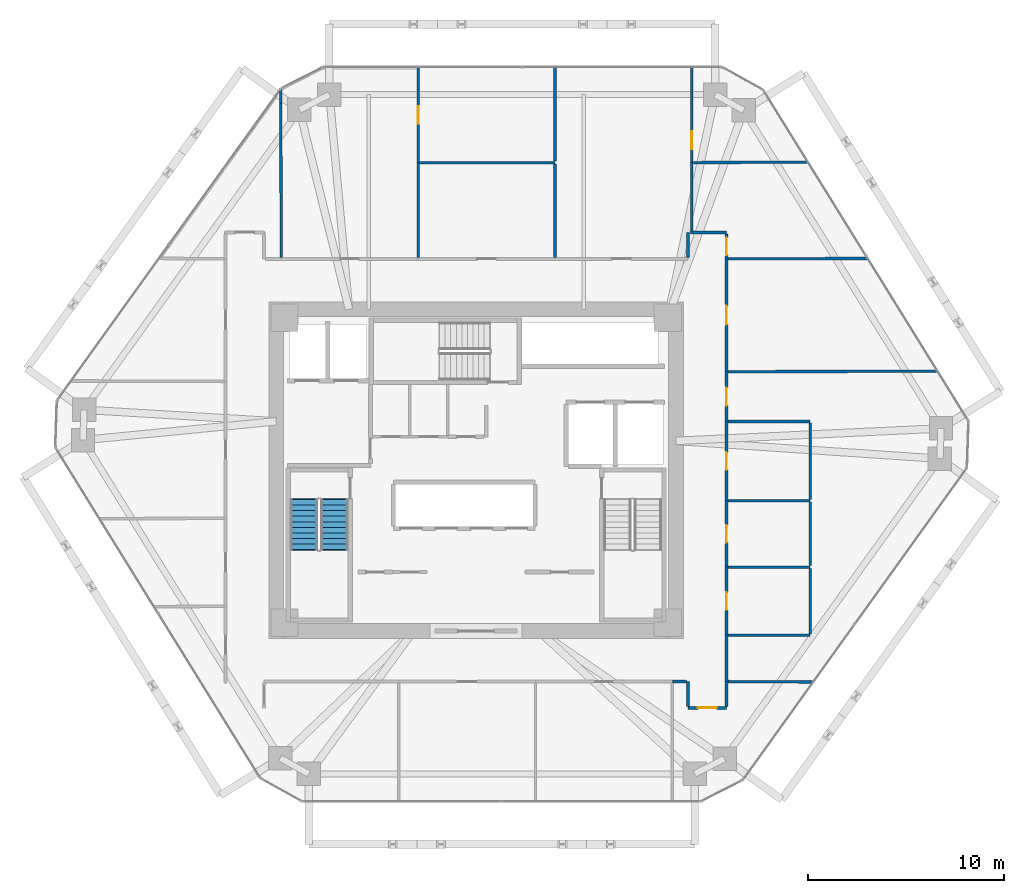
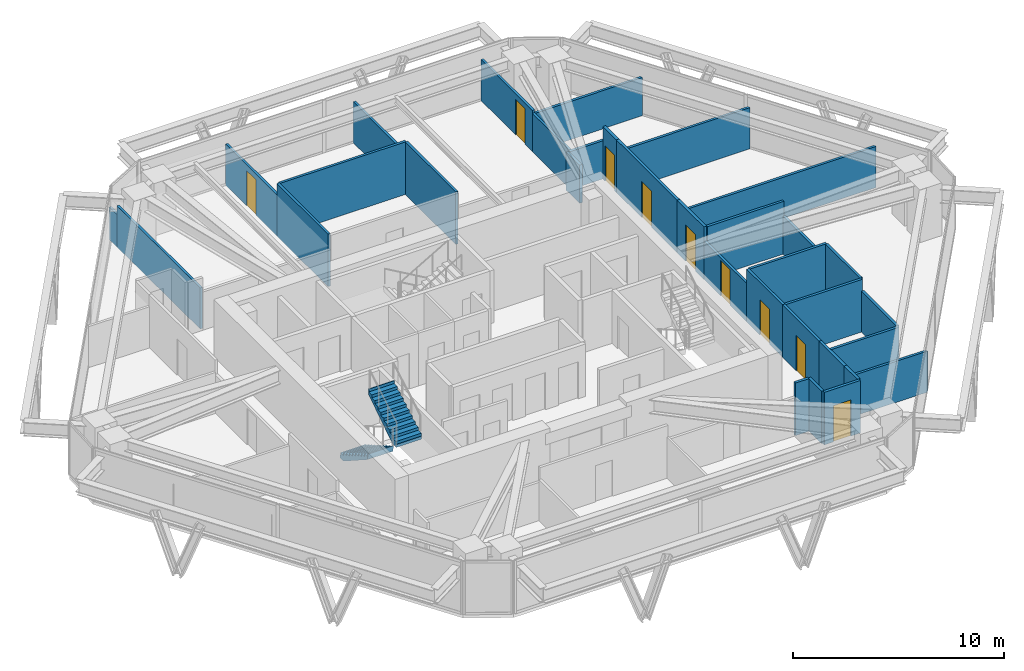
# One storey, part 12 of 14: 33 walls, 9 doors, 2 stair flights, 9 openings, 1 element without a shape of its own.
"""IFC4 building model written with IfcOpenShell, lengths in metres."""

from ifc_helpers import new_model, si_unit, direction, frame, frame_2d, origin, place, context, subcontext, project, spatial, polyline, rectangle, outline, extrude, source, transform, mapped, material, layer, layer_set, type_object, type_shapes, element, fill, aggregate, save


model = new_model("IFC4")

# Units and contexts
model_context = context("Model", 3, precision=1e-05, world=origin(), true_north=direction((0.0, 1.0)))
body_context = subcontext(model_context, "Body", "Model", "MODEL_VIEW")
ifc_project = project(units=[si_unit("LENGTHUNIT", "METRE"), si_unit("AREAUNIT", "SQUARE_METRE"), si_unit("VOLUMEUNIT", "CUBIC_METRE"), si_unit("PLANEANGLEUNIT", "RADIAN"), si_unit("MASSUNIT", "GRAM", prefix="KILO")], contexts=[model_context])

# Site, building, storey
site_placement = place(None, origin())
site = spatial("IfcSite", under=ifc_project, at=site_placement, CompositionType="ELEMENT")
building_placement = place(site_placement, origin())
building = spatial("IfcBuilding", under=site, at=building_placement, Name="Durnholm Broadcast Tower", CompositionType="ELEMENT")
storey_placement = place(building_placement, frame((0.0, 0.0, 107.39990234375)))
storey = spatial("IfcBuildingStorey", under=building, at=storey_placement, Name="L28", CompositionType="ELEMENT", Elevation=107.39990234375)

# Walls
ifc_material_1 = material(Name="Gypsum Metal Stud Partition", Category="concrete")
ifc_layer_1 = layer(ifc_material_1, 0.135009765625)
ifc_layer_set_1 = layer_set([ifc_layer_1], Name="Gypsum Metal Stud Partition")
wall_type_1 = type_object("IfcWallType", Name="WALL-PART-135", PredefinedType="PARTITIONING", material=ifc_layer_set_1)
wall_1_placement = place(storey_placement, frame((-9.98974609375, 18.75634765625, 0.0), z_axis=(0.0, 0.0, 1.0), x_axis=(0.003754822251, -0.99999295063, 0.0)))
element("IfcWall", 1, at=wall_1_placement, inside=storey, type_object=wall_type_1, Name="L28 room dividing partition 10.11", PredefinedType="PARTITIONING", context=body_context, shape_type="SweptSolid", body=[
    extrude(rectangle(XDim=7.867431640625, YDim=0.135009765625, at=frame_2d((3.93359375, 0.0))), origin(), (0.0, 0.0, 1.0), 2.380126953125),
])
wall_2_placement = place(storey_placement, frame((-9.992431640625, 19.478515625, 0.0), z_axis=(0.0, 0.0, 1.0), x_axis=(0.003718703158, -0.9999930856, 0.0)))
element("IfcWall", 2, at=wall_2_placement, inside=storey, type_object=wall_type_1, Name="L28 room dividing partition 10.11", PredefinedType="PARTITIONING", context=body_context, shape_type="SweptSolid", body=[
    extrude(rectangle(XDim=0.72216796875, YDim=0.135009765625, at=frame_2d((0.361083984375, 0.0))), origin(), (0.0, 0.0, 1.0), 1.877197265625),
])
wall_3_placement = place(storey_placement, frame((-2.9599609375, 15.73291015625, 0.0), z_axis=(0.0, 0.0, 1.0), x_axis=(0.0, -1.0, 0.0)))
element("IfcWall", 3, at=wall_3_placement, inside=storey, type_object=wall_type_1, Name="L28 room dividing partition 11.12", PredefinedType="PARTITIONING", context=body_context, shape_type="SweptSolid", body=[
    extrude(rectangle(XDim=4.843994140625, YDim=0.135009765625, at=frame_2d((2.421875, 0.0))), origin(), (0.0, 0.0, 1.0), 3.045166015625),
])

# Wall, opening, door
wall_4_placement = place(storey_placement, frame((-2.9599609375, 20.614990234375, 0.0), z_axis=(0.0, 0.0, 1.0), x_axis=(0.0, -1.0, 0.0)))
wall_4 = element("IfcWall", 4, at=wall_4_placement, inside=storey, type_object=wall_type_1, Name="L28 room dividing partition 11.13", PredefinedType="PARTITIONING", context=body_context, shape_type="SweptSolid", body=[
    extrude(rectangle(XDim=4.882080078125, YDim=0.135009765625, at=frame_2d((2.44091796875, 0.0))), origin(), (0.0, 0.0, 1.0), 2.380126953125),
])
opening_1_placement = place(wall_4_placement, frame((1.990966796875, 0.0, 0.0)))
opening_1 = element("IfcOpeningElement", 5, at=opening_1_placement, cuts=wall_4, Name="Opening DW-90L", PredefinedType="OPENING", context=body_context, shape_type="SweptSolid", body=[
    extrude(rectangle(XDim=0.89990234375, YDim=2.050048828125, at=frame_2d((0.449951171875, 1.02490234375))), frame((0.0, 0.07763671875, 0.0), z_axis=(0.0, -1.0, 0.0), x_axis=(1.0, 0.0, 0.0)), (0.0, 0.0, 1.0), 0.155029296875),
])
ifc_material_2 = material(Name="Laminate Restroom Door", Category="steel")
ifc_layer_2 = layer(ifc_material_2, 0.050048828125)
ifc_layer_set_2 = layer_set([ifc_layer_2], Name="Laminate Restroom Door")
door_type_1 = type_object("IfcDoorType", Name="DOOR-WC-900L", OperationType="NOTDEFINED", PredefinedType="DOOR", material=ifc_layer_set_2)
shared_shape_1 = source(origin(), body_context, "Body", "SweptSolid", [
    extrude(rectangle(XDim=0.89990234375, YDim=2.050048828125, at=frame_2d((0.449951171875, 1.02490234375))), frame((0.0, 0.02490234375, 0.0), z_axis=(0.0, -1.0, 0.0), x_axis=(1.0, 0.0, 0.0)), (0.0, 0.0, 1.0), 0.050048828125),
])
type_shapes(door_type_1, [shared_shape_1])
door_1_placement = place(opening_1_placement, origin())
door_1 = element("IfcDoor", 6, at=door_1_placement, inside=storey, type_object=door_type_1, Name="L28 Atmos Mix Office connecting door", OperationType="SINGLE_SWING_LEFT", OverallHeight=2.050048828125, OverallWidth=0.89990234375, PredefinedType="DOOR", context=body_context, shape_type="MappedRepresentation", body=[
    mapped(shared_shape_1, transform((0.0, 0.0, 0.0), x_axis=(1.0, 0.0, 0.0), y_axis=(0.0, 1.0, 0.0), z_axis=(0.0, 0.0, 1.0), scale=1.0)),
])
fill(opening_1, door_1)

# Walls
wall_5_placement = place(storey_placement, frame((-2.888427734375, 15.73291015625, 0.0), z_axis=(0.0, 0.0, 1.0), x_axis=(1.0, 0.0, 0.0)))
element("IfcWall", 7, at=wall_5_placement, inside=storey, type_object=wall_type_1, Name="L28 room dividing partition 12.13", PredefinedType="PARTITIONING", context=body_context, shape_type="SweptSolid", body=[
    extrude(rectangle(XDim=6.928466796875, YDim=0.135009765625, at=frame_2d((3.46435546875, 0.0))), origin(), (0.0, 0.0, 1.0), 3.045166015625),
])
wall_6_placement = place(storey_placement, frame((4.0400390625, 15.66162109375, 0.0), z_axis=(0.0, 0.0, 1.0), x_axis=(0.0, -1.0, 0.0)))
element("IfcWall", 8, at=wall_6_placement, inside=storey, type_object=wall_type_1, Name="L28 room dividing partition 12.14", PredefinedType="PARTITIONING", context=body_context, shape_type="SweptSolid", body=[
    extrude(rectangle(XDim=4.772705078125, YDim=0.135009765625, at=frame_2d((2.38623046875, 0.0))), origin(), (0.0, 0.0, 1.0), 3.045166015625),
])
wall_7_placement = place(storey_placement, frame((4.0400390625, 20.614990234375, 0.0), z_axis=(0.0, 0.0, 1.0), x_axis=(0.0, -1.0, 0.0)))
element("IfcWall", 9, at=wall_7_placement, inside=storey, type_object=wall_type_1, Name="L28 room dividing partition 13.14", PredefinedType="PARTITIONING", context=body_context, shape_type="SweptSolid", body=[
    extrude(rectangle(XDim=4.810546875, YDim=0.135009765625, at=frame_2d((2.4052734375, 0.0))), origin(), (0.0, 0.0, 1.0), 2.380126953125),
])
wall_8_placement = place(storey_placement, frame((11.0400390625, 15.73291015625, 0.0), z_axis=(0.0, 0.0, 1.0), x_axis=(0.0, -1.0, 0.0)))
element("IfcWall", 10, at=wall_8_placement, inside=storey, type_object=wall_type_1, Name="L28 room dividing partition 14.15", PredefinedType="PARTITIONING", context=body_context, shape_type="SweptSolid", body=[
    extrude(rectangle(XDim=3.493896484375, YDim=0.135009765625, at=frame_2d((1.7470703125, 0.0))), origin(), (0.0, 0.0, 1.0), 2.212158203125),
])

# Wall, opening, door
wall_9_placement = place(storey_placement, frame((11.0400390625, 20.614990234375, 0.0), z_axis=(0.0, 0.0, 1.0), x_axis=(0.0, -1.0, 0.0)))
wall_9 = element("IfcWall", 11, at=wall_9_placement, inside=storey, type_object=wall_type_1, Name="L28 room dividing partition 14.16", PredefinedType="PARTITIONING", context=body_context, shape_type="SweptSolid", body=[
    extrude(rectangle(XDim=4.882080078125, YDim=0.135009765625, at=frame_2d((2.44091796875, 0.0))), origin(), (0.0, 0.0, 1.0), 2.380126953125),
])
opening_2_placement = place(wall_9_placement, frame((3.2900390625, 0.0, 0.0)))
opening_2 = element("IfcOpeningElement", 12, at=opening_2_placement, cuts=wall_9, Name="Opening DW-90L", PredefinedType="OPENING", context=body_context, shape_type="SweptSolid", body=[
    extrude(rectangle(XDim=0.89990234375, YDim=2.050048828125, at=frame_2d((0.449951171875, 1.02490234375))), frame((0.0, 0.07763671875, 0.0), z_axis=(0.0, -1.0, 0.0), x_axis=(1.0, 0.0, 0.0)), (0.0, 0.0, 1.0), 0.155029296875),
])
door_2_placement = place(opening_2_placement, origin())
door_2 = element("IfcDoor", 13, at=door_2_placement, inside=storey, type_object=door_type_1, Name="L28 Render Engineer Office connecting door", OperationType="SINGLE_SWING_LEFT", OverallHeight=2.050048828125, OverallWidth=0.89990234375, PredefinedType="DOOR", context=body_context, shape_type="MappedRepresentation", body=[
    mapped(shared_shape_1, transform((0.0, 0.0, 0.0), x_axis=(1.0, 0.0, 0.0), y_axis=(0.0, 1.0, 0.0), z_axis=(0.0, 0.0, 1.0), scale=1.0)),
])
fill(opening_2, door_2)

# Walls
wall_10_placement = place(storey_placement, frame((11.111572265625, 15.7333984375, 0.0), z_axis=(0.0, 0.0, 1.0), x_axis=(0.99999375129, 0.003535163403, 0.0)))
element("IfcWall", 14, at=wall_10_placement, inside=storey, type_object=wall_type_1, Name="L28 room dividing partition 15.16", PredefinedType="PARTITIONING", context=body_context, shape_type="SweptSolid", body=[
    extrude(rectangle(XDim=5.8701171875, YDim=0.135009765625, at=frame_2d((2.93505859375, 0.0))), origin(), (0.0, 0.0, 1.0), 2.212158203125),
])
wall_11_placement = place(storey_placement, frame((20.03515625, 10.8310546875, 0.0), z_axis=(0.0, 0.0, 1.0), x_axis=(-0.999995783715, -0.002903885812, 0.0)))
element("IfcWall", 15, at=wall_11_placement, inside=storey, type_object=wall_type_1, Name="L28 room dividing partition 15.26", PredefinedType="PARTITIONING", context=body_context, shape_type="SweptSolid", body=[
    extrude(rectangle(XDim=7.146240234375, YDim=0.135009765625, at=frame_2d((3.5732421875, 0.0))), origin(), (0.0, 0.0, 1.0), 2.380126953125),
])
wall_12_placement = place(storey_placement, frame((12.888916015625, -10.810302734375, 0.0), z_axis=(0.0, 0.0, 1.0), x_axis=(0.999986140562, -0.005264853658, 0.0)))
element("IfcWall", 16, at=wall_12_placement, inside=storey, type_object=wall_type_1, Name="L28 room dividing partition 20.25", PredefinedType="PARTITIONING", context=body_context, shape_type="SweptSolid", body=[
    extrude(rectangle(XDim=4.35888671875, YDim=0.135009765625, at=frame_2d((2.179443359375, 0.0))), origin(), (0.0, 0.0, 1.0), 2.380126953125),
])
wall_13_placement = place(storey_placement, frame((12.888916015625, 5.040283203125, 0.0), z_axis=(0.0, 0.0, 1.0), x_axis=(0.999998128178, 0.00193484876, 0.0)))
element("IfcWall", 17, at=wall_13_placement, inside=storey, type_object=wall_type_1, Name="L28 room dividing partition 25.26", PredefinedType="PARTITIONING", context=body_context, shape_type="SweptSolid", body=[
    extrude(rectangle(XDim=10.725341796875, YDim=0.135009765625, at=frame_2d((5.36279296875, 0.0))), origin(), (0.0, 0.0, 1.0), 2.380126953125),
])
ifc_material_3 = material(Name="Acoustic Gypsum Stud Partition", Category="concrete")
ifc_layer_3 = layer(ifc_material_3, 0.14990234375)
ifc_layer_set_3 = layer_set([ifc_layer_3], Name="Acoustic Gypsum Stud Partition")
wall_type_2 = type_object("IfcWallType", Name="WALL-PART-150", PredefinedType="PARTITIONING", material=ifc_layer_set_3)
wall_14_placement = place(storey_placement, frame((10.840087890625, 12.159912109375, 0.0), z_axis=(0.0, 0.0, 1.0), x_axis=(0.0, -1.0, 0.0)))
element("IfcWall", 18, at=wall_14_placement, inside=storey, type_object=wall_type_2, Name="L28 Colorist Office corridor partition", PredefinedType="PARTITIONING", context=body_context, shape_type="SweptSolid", body=[
    extrude(rectangle(XDim=1.27099609375, YDim=0.14990234375, at=frame_2d((0.635498046875, 0.0))), origin(), (0.0, 0.0, 1.0), 2.212158203125),
])
wall_15_placement = place(storey_placement, frame((12.81005859375, 12.159912109375, 0.0), z_axis=(0.0, 0.0, 1.0), x_axis=(-1.0, 0.0, 0.0)))
element("IfcWall", 19, at=wall_15_placement, inside=storey, type_object=wall_type_2, Name="L28 Creative Director Office corridor partition", PredefinedType="PARTITIONING", context=body_context, shape_type="SweptSolid", body=[
    extrude(rectangle(XDim=1.85009765625, YDim=0.14990234375, at=frame_2d((0.925048828125, 0.0))), origin(), (0.0, 0.0, 1.0), 2.212158203125),
])

# Wall, opening, door
wall_16_placement = place(storey_placement, frame((12.81005859375, 10.81005859375, 0.0), z_axis=(0.0, 0.0, 1.0), x_axis=(0.0, 1.0, 0.0)))
wall_16 = element("IfcWall", 20, at=wall_16_placement, inside=storey, type_object=wall_type_2, Name="L28 Creative Director Office corridor partition", PredefinedType="PARTITIONING", context=body_context, shape_type="SweptSolid", body=[
    extrude(rectangle(XDim=1.27099609375, YDim=0.14990234375, at=frame_2d((0.635498046875, 0.0))), origin(), (0.0, 0.0, 1.0), 3.045166015625),
])
opening_3_placement = place(wall_16_placement, frame((0.185546875, 0.0, 0.0)))
opening_3 = element("IfcOpeningElement", 21, at=opening_3_placement, cuts=wall_16, Name="Opening DW-90L", PredefinedType="OPENING", context=body_context, shape_type="SweptSolid", body=[
    extrude(rectangle(XDim=0.89990234375, YDim=2.050048828125, at=frame_2d((0.449951171875, 1.02490234375))), frame((0.0, 0.0849609375, 0.0), z_axis=(0.0, -1.0, 0.0), x_axis=(1.0, 0.0, 0.0)), (0.0, 0.0, 1.0), 0.169921875),
])
door_3_placement = place(opening_3_placement, origin())
door_3 = element("IfcDoor", 22, at=door_3_placement, inside=storey, type_object=door_type_1, Name="L28 Creative Director Office entrance door", OperationType="SINGLE_SWING_LEFT", OverallHeight=2.050048828125, OverallWidth=0.89990234375, PredefinedType="DOOR", context=body_context, shape_type="MappedRepresentation", body=[
    mapped(shared_shape_1, transform((0.0, 0.0, 0.0), x_axis=(1.0, 0.0, 0.0), y_axis=(0.0, 1.0, 0.0), z_axis=(0.0, 0.0, 1.0), scale=1.0)),
])
fill(opening_3, door_3)

wall_17_placement = place(storey_placement, frame((10.840087890625, -12.159912109375, 0.0), z_axis=(0.0, 0.0, 1.0), x_axis=(1.0, 0.0, 0.0)))
wall_17 = element("IfcWall", 23, at=wall_17_placement, inside=storey, type_object=wall_type_2, Name="L28 VFX Office 1 corridor partition", PredefinedType="PARTITIONING", context=body_context, shape_type="SweptSolid", body=[
    extrude(rectangle(XDim=1.969970703125, YDim=0.14990234375, at=frame_2d((0.98486328125, 0.0))), origin(), (0.0, 0.0, 1.0), 3.045166015625),
])
opening_4_placement = place(wall_17_placement, frame((0.510009765625, 0.0, 0.0)))
opening_4 = element("IfcOpeningElement", 24, at=opening_4_placement, cuts=wall_17, Name="Opening DR-95L", PredefinedType="OPENING", context=body_context, shape_type="SweptSolid", body=[
    extrude(rectangle(XDim=0.949951171875, YDim=2.10009765625, at=frame_2d((0.47509765625, 1.050048828125))), frame((0.0, 0.0849609375, 0.0), z_axis=(0.0, -1.0, 0.0), x_axis=(1.0, 0.0, 0.0)), (0.0, 0.0, 1.0), 0.169921875),
])
ifc_material_4 = material(Name="Acoustic Oak Veneer Timber Door", Category="wood")
ifc_layer_4 = layer(ifc_material_4, 0.050048828125)
ifc_layer_set_4 = layer_set([ifc_layer_4], Name="Acoustic Oak Veneer Timber Door")
door_type_2 = type_object("IfcDoorType", Name="DOOR-RM-950L", OperationType="NOTDEFINED", PredefinedType="DOOR", material=ifc_layer_set_4)
shared_shape_2 = source(origin(), body_context, "Body", "SweptSolid", [
    extrude(rectangle(XDim=0.949951171875, YDim=2.10009765625, at=frame_2d((0.47509765625, 1.050048828125))), frame((0.0, 0.02490234375, 0.0), z_axis=(0.0, -1.0, 0.0), x_axis=(1.0, 0.0, 0.0)), (0.0, 0.0, 1.0), 0.050048828125),
])
type_shapes(door_type_2, [shared_shape_2])
door_4_placement = place(opening_4_placement, origin())
door_4 = element("IfcDoor", 25, at=door_4_placement, inside=storey, type_object=door_type_2, Name="L28 VFX Office 1 entrance door", OperationType="SINGLE_SWING_LEFT", OverallHeight=2.10009765625, OverallWidth=0.949951171875, PredefinedType="DOOR", context=body_context, shape_type="MappedRepresentation", body=[
    mapped(shared_shape_2, transform((0.0, 0.0, 0.0), x_axis=(1.0, 0.0, 0.0), y_axis=(0.0, 1.0, 0.0), z_axis=(0.0, 0.0, 1.0), scale=1.0)),
])
fill(opening_4, door_4)

# Walls
for number, where, z_axis, x_axis, name in (
    (26, (10.840087890625, -10.81005859375, 0.0), (0.0, 0.0, 1.0), (0.0, -1.0, 0.0), "L28 VFX Office 1 corridor partition"),
    (27, (12.81005859375, -12.0810546875, 0.0), (0.0, 0.0, 1.0), (0.0, 1.0, 0.0), "L28 VFX Office 1 corridor partition"),
):
    element("IfcWall", number, at=place(storey_placement, frame(where, z_axis=z_axis, x_axis=x_axis)), inside=storey, type_object=wall_type_2, Name=name, PredefinedType="PARTITIONING", context=body_context, shape_type="SweptSolid", body=[
        extrude(rectangle(XDim=1.27099609375, YDim=0.14990234375, at=frame_2d((0.635498046875, 0.0))), origin(), (0.0, 0.0, 1.0), 3.045166015625),
    ])
wall_18_placement = place(storey_placement, frame((10.0400390625, -10.81005859375, 0.0), z_axis=(0.0, 0.0, 1.0), x_axis=(1.0, 0.0, 0.0)))
element("IfcWall", 28, at=wall_18_placement, inside=storey, type_object=wall_type_2, Name="L28 VFX Office 1 corridor partition", PredefinedType="PARTITIONING", context=body_context, shape_type="SweptSolid", body=[
    extrude(rectangle(XDim=0.720947265625, YDim=0.14990234375, at=frame_2d((0.3603515625, 0.0))), origin(), (0.0, 0.0, 1.0), 3.045166015625),
])

# Wall, opening, door
wall_19_placement = place(storey_placement, frame((12.81005859375, 2.489990234375, 0.0), z_axis=(0.0, 0.0, 1.0), x_axis=(0.0, 1.0, 0.0)))
wall_19 = element("IfcWall", 29, at=wall_19_placement, inside=storey, type_object=wall_type_2, Name="L28 Creative Director Office corridor partition", PredefinedType="PARTITIONING", context=body_context, shape_type="SweptSolid", body=[
    extrude(rectangle(XDim=2.550048828125, YDim=0.14990234375, at=frame_2d((1.27490234375, 0.0))), origin(), (0.0, 0.0, 1.0), 3.045166015625),
])
opening_5_placement = place(wall_19_placement, frame((0.81494140625, 0.0, 0.0)))
opening_5 = element("IfcOpeningElement", 30, at=opening_5_placement, cuts=wall_19, Name="Opening DR-92R", PredefinedType="OPENING", context=body_context, shape_type="SweptSolid", body=[
    extrude(rectangle(XDim=0.919921875, YDim=2.10009765625, at=frame_2d((0.4599609375, 1.050048828125))), frame((0.0, 0.0849609375, 0.0), z_axis=(0.0, -1.0, 0.0), x_axis=(1.0, 0.0, 0.0)), (0.0, 0.0, 1.0), 0.169921875),
])
ifc_material_5 = material(Name="Oak Veneer Office Door", Category="wood")
ifc_layer_5 = layer(ifc_material_5, 0.050048828125)
ifc_layer_set_5 = layer_set([ifc_layer_5], Name="Oak Veneer Office Door")
door_type_3 = type_object("IfcDoorType", Name="DOOR-RM-920R", OperationType="NOTDEFINED", PredefinedType="DOOR", material=ifc_layer_set_5)
shared_shape_3 = source(origin(), body_context, "Body", "SweptSolid", [
    extrude(rectangle(XDim=0.919921875, YDim=2.10009765625, at=frame_2d((0.4599609375, 1.050048828125))), frame((0.0, 0.02490234375, 0.0), z_axis=(0.0, -1.0, 0.0), x_axis=(1.0, 0.0, 0.0)), (0.0, 0.0, 1.0), 0.050048828125),
])
type_shapes(door_type_3, [shared_shape_3])
door_5_placement = place(opening_5_placement, origin())
door_5 = element("IfcDoor", 31, at=door_5_placement, inside=storey, type_object=door_type_3, Name="L28 Creative Director Office entrance door", OperationType="SINGLE_SWING_RIGHT", OverallHeight=2.10009765625, OverallWidth=0.919921875, PredefinedType="DOOR", context=body_context, shape_type="MappedRepresentation", body=[
    mapped(shared_shape_3, transform((0.0, 0.0, 0.0), x_axis=(1.0, 0.0, 0.0), y_axis=(0.0, 1.0, 0.0), z_axis=(0.0, 0.0, 1.0), scale=1.0)),
])
fill(opening_5, door_5)

# Wall
wall_20_placement = place(storey_placement, frame((12.81005859375, -10.81005859375, 0.0), z_axis=(0.0, 0.0, 1.0), x_axis=(0.0, 1.0, 0.0)))
element("IfcWall", 32, at=wall_20_placement, inside=storey, type_object=wall_type_2, Name="L28 Creative Director Office corridor partition", PredefinedType="PARTITIONING", context=body_context, shape_type="SweptSolid", body=[
    extrude(rectangle(XDim=2.3701171875, YDim=0.14990234375, at=frame_2d((1.18505859375, 0.0))), origin(), (0.0, 0.0, 1.0), 3.045166015625),
])

# Wall, opening, door
wall_21_placement = place(storey_placement, frame((12.81005859375, 5.0400390625, 0.0), z_axis=(0.0, 0.0, 1.0), x_axis=(0.0, 1.0, 0.0)))
wall_21 = element("IfcWall", 33, at=wall_21_placement, inside=storey, type_object=wall_type_2, Name="L28 Render Engineer Office corridor partition", PredefinedType="PARTITIONING", context=body_context, shape_type="SweptSolid", body=[
    extrude(rectangle(XDim=5.77001953125, YDim=0.14990234375, at=frame_2d((2.885009765625, 0.0))), origin(), (0.0, 0.0, 1.0), 3.045166015625),
])
opening_6_placement = place(wall_21_placement, frame((2.409912109375, 0.0, 0.0)))
opening_6 = element("IfcOpeningElement", 34, at=opening_6_placement, cuts=wall_21, Name="Opening DR-95L", PredefinedType="OPENING", context=body_context, shape_type="SweptSolid", body=[
    extrude(rectangle(XDim=0.949951171875, YDim=2.10009765625, at=frame_2d((0.47509765625, 1.050048828125))), frame((0.0, 0.0849609375, 0.0), z_axis=(0.0, -1.0, 0.0), x_axis=(1.0, 0.0, 0.0)), (0.0, 0.0, 1.0), 0.169921875),
])
door_6_placement = place(opening_6_placement, origin())
door_6 = element("IfcDoor", 35, at=door_6_placement, inside=storey, type_object=door_type_2, Name="L28 Render Engineer Office entrance door", OperationType="SINGLE_SWING_LEFT", OverallHeight=2.10009765625, OverallWidth=0.949951171875, PredefinedType="DOOR", context=body_context, shape_type="MappedRepresentation", body=[
    mapped(shared_shape_2, transform((0.0, 0.0, 0.0), x_axis=(1.0, 0.0, 0.0), y_axis=(0.0, 1.0, 0.0), z_axis=(0.0, 0.0, 1.0), scale=1.0)),
])
fill(opening_6, door_6)

ifc_material_6 = material(Name="Moisture-Resistant Tile Partition", Category="concrete")
ifc_layer_6 = layer(ifc_material_6, 0.139892578125)
ifc_layer_set_6 = layer_set([ifc_layer_6], Name="Moisture-Resistant Tile Partition")
wall_type_3 = type_object("IfcWallType", Name="WALL-WC-140", PredefinedType="PARTITIONING", material=ifc_layer_set_6)
wall_22_placement = place(storey_placement, frame((12.81005859375, -8.43994140625, 0.0), z_axis=(0.0, 0.0, 1.0), x_axis=(0.0, 1.0, 0.0)))
wall_22 = element("IfcWall", 36, at=wall_22_placement, inside=storey, type_object=wall_type_3, Name="L28 Men's Restroom corridor partition", PredefinedType="PARTITIONING", context=body_context, shape_type="SweptSolid", body=[
    extrude(rectangle(XDim=3.47998046875, YDim=0.139892578125, at=frame_2d((1.739990234375, 0.0))), origin(), (0.0, 0.0, 1.0), 3.045166015625),
])
opening_7_placement = place(wall_22_placement, frame((1.2900390625, 0.0, 0.0)))
opening_7 = element("IfcOpeningElement", 37, at=opening_7_placement, cuts=wall_22, Name="Opening DW-90R", PredefinedType="OPENING", context=body_context, shape_type="SweptSolid", body=[
    extrude(rectangle(XDim=0.89990234375, YDim=2.050048828125, at=frame_2d((0.449951171875, 1.02490234375))), frame((0.0, 0.080078125, 0.0), z_axis=(0.0, -1.0, 0.0), x_axis=(1.0, 0.0, 0.0)), (0.0, 0.0, 1.0), 0.159912109375),
])
ifc_layer_7 = layer(ifc_material_2, 0.050048828125)
ifc_layer_set_7 = layer_set([ifc_layer_7], Name="Laminate Restroom Door")
door_type_4 = type_object("IfcDoorType", Name="DOOR-WC-900R", OperationType="NOTDEFINED", PredefinedType="DOOR", material=ifc_layer_set_7)
shared_shape_4 = source(origin(), body_context, "Body", "SweptSolid", [
    extrude(rectangle(XDim=0.89990234375, YDim=2.050048828125, at=frame_2d((0.449951171875, 1.02490234375))), frame((0.0, 0.02490234375, 0.0), z_axis=(0.0, -1.0, 0.0), x_axis=(1.0, 0.0, 0.0)), (0.0, 0.0, 1.0), 0.050048828125),
])
type_shapes(door_type_4, [shared_shape_4])
door_7_placement = place(opening_7_placement, origin())
door_7 = element("IfcDoor", 38, at=door_7_placement, inside=storey, type_object=door_type_4, Name="L28 Men's Restroom entrance door", OperationType="SINGLE_SWING_RIGHT", OverallHeight=2.050048828125, OverallWidth=0.89990234375, PredefinedType="DOOR", context=body_context, shape_type="MappedRepresentation", body=[
    mapped(shared_shape_4, transform((0.0, 0.0, 0.0), x_axis=(1.0, 0.0, 0.0), y_axis=(0.0, 1.0, 0.0), z_axis=(0.0, 0.0, 1.0), scale=1.0)),
])
fill(opening_7, door_7)

wall_23_placement = place(storey_placement, frame((12.81005859375, -4.9599609375, 0.0), z_axis=(0.0, 0.0, 1.0), x_axis=(0.0, 1.0, 0.0)))
wall_23 = element("IfcWall", 39, at=wall_23_placement, inside=storey, type_object=wall_type_3, Name="L28 Women's Restroom corridor partition", PredefinedType="PARTITIONING", context=body_context, shape_type="SweptSolid", body=[
    extrude(rectangle(XDim=3.39990234375, YDim=0.139892578125, at=frame_2d((1.699951171875, 0.0))), origin(), (0.0, 0.0, 1.0), 3.045166015625),
])
opening_8_placement = place(wall_23_placement, frame((1.25, 0.0, 0.0)))
opening_8 = element("IfcOpeningElement", 40, at=opening_8_placement, cuts=wall_23, Name="Opening DW-90L", PredefinedType="OPENING", context=body_context, shape_type="SweptSolid", body=[
    extrude(rectangle(XDim=0.89990234375, YDim=2.050048828125, at=frame_2d((0.449951171875, 1.02490234375))), frame((0.0, 0.080078125, 0.0), z_axis=(0.0, -1.0, 0.0), x_axis=(1.0, 0.0, 0.0)), (0.0, 0.0, 1.0), 0.159912109375),
])
door_8_placement = place(opening_8_placement, origin())
door_8 = element("IfcDoor", 41, at=door_8_placement, inside=storey, type_object=door_type_1, Name="L28 Women's Restroom entrance door", OperationType="SINGLE_SWING_LEFT", OverallHeight=2.050048828125, OverallWidth=0.89990234375, PredefinedType="DOOR", context=body_context, shape_type="MappedRepresentation", body=[
    mapped(shared_shape_1, transform((0.0, 0.0, 0.0), x_axis=(1.0, 0.0, 0.0), y_axis=(0.0, 1.0, 0.0), z_axis=(0.0, 0.0, 1.0), scale=1.0)),
])
fill(opening_8, door_8)

wall_24_placement = place(storey_placement, frame((12.81005859375, -1.56005859375, 0.0), z_axis=(0.0, 0.0, 1.0), x_axis=(0.0, 1.0, 0.0)))
wall_24 = element("IfcWall", 42, at=wall_24_placement, inside=storey, type_object=wall_type_3, Name="L28 Accessible Restroom corridor partition", PredefinedType="PARTITIONING", context=body_context, shape_type="SweptSolid", body=[
    extrude(rectangle(XDim=4.050048828125, YDim=0.139892578125, at=frame_2d((2.02490234375, 0.0))), origin(), (0.0, 0.0, 1.0), 2.212158203125),
])
opening_9_placement = place(wall_24_placement, frame((1.574951171875, 0.0, 0.0)))
opening_9 = element("IfcOpeningElement", 43, at=opening_9_placement, cuts=wall_24, Name="Opening DW-90R", PredefinedType="OPENING", context=body_context, shape_type="SweptSolid", body=[
    extrude(rectangle(XDim=0.89990234375, YDim=2.050048828125, at=frame_2d((0.449951171875, 1.02490234375))), frame((0.0, 0.080078125, 0.0), z_axis=(0.0, -1.0, 0.0), x_axis=(1.0, 0.0, 0.0)), (0.0, 0.0, 1.0), 0.159912109375),
])
door_9_placement = place(opening_9_placement, origin())
door_9 = element("IfcDoor", 44, at=door_9_placement, inside=storey, type_object=door_type_4, Name="L28 Accessible Restroom entrance door", OperationType="SINGLE_SWING_RIGHT", OverallHeight=2.050048828125, OverallWidth=0.89990234375, PredefinedType="DOOR", context=body_context, shape_type="MappedRepresentation", body=[
    mapped(shared_shape_4, transform((0.0, 0.0, 0.0), x_axis=(1.0, 0.0, 0.0), y_axis=(0.0, 1.0, 0.0), z_axis=(0.0, 0.0, 1.0), scale=1.0)),
])
fill(opening_9, door_9)

# Walls
wall_25_placement = place(storey_placement, frame((12.884033203125, -4.9599609375, 0.0), z_axis=(0.0, 0.0, 1.0), x_axis=(1.0, 0.0, 0.0)))
element("IfcWall", 45, at=wall_25_placement, inside=storey, type_object=wall_type_3, Name="L28 room dividing partition 7.8", PredefinedType="PARTITIONING", context=body_context, shape_type="SweptSolid", body=[
    extrude(rectangle(XDim=4.2060546875, YDim=0.139892578125, at=frame_2d((2.10302734375, 0.0))), origin(), (0.0, 0.0, 1.0), 3.045166015625),
])
wall_26_placement = place(storey_placement, frame((17.090087890625, -8.43994140625, 0.0), z_axis=(0.0, 0.0, 1.0), x_axis=(-1.0, 0.0, 0.0)))
element("IfcWall", 46, at=wall_26_placement, inside=storey, type_object=wall_type_3, Name="L28 room dividing partition 7.25", PredefinedType="PARTITIONING", context=body_context, shape_type="SweptSolid", body=[
    extrude(rectangle(XDim=4.201171875, YDim=0.139892578125, at=frame_2d((2.1005859375, 0.0))), origin(), (0.0, 0.0, 1.0), 2.380126953125),
])
wall_27_placement = place(storey_placement, frame((17.090087890625, -5.033935546875, 0.0), z_axis=(0.0, 0.0, 1.0), x_axis=(0.0, -1.0, 0.0)))
element("IfcWall", 47, at=wall_27_placement, inside=storey, type_object=wall_type_3, Name="L28 room dividing partition 7.25", PredefinedType="PARTITIONING", context=body_context, shape_type="SweptSolid", body=[
    extrude(rectangle(XDim=3.33203125, YDim=0.139892578125, at=frame_2d((1.666015625, 0.0))), origin(), (0.0, 0.0, 1.0), 2.380126953125),
])
wall_28_placement = place(storey_placement, frame((12.884033203125, -1.56005859375, 0.0), z_axis=(0.0, 0.0, 1.0), x_axis=(1.0, 0.0, 0.0)))
element("IfcWall", 48, at=wall_28_placement, inside=storey, type_object=wall_type_3, Name="L28 room dividing partition 8.9", PredefinedType="PARTITIONING", context=body_context, shape_type="SweptSolid", body=[
    extrude(rectangle(XDim=4.2060546875, YDim=0.139892578125, at=frame_2d((2.10302734375, 0.0))), origin(), (0.0, 0.0, 1.0), 3.045166015625),
])
wall_29_placement = place(storey_placement, frame((17.090087890625, -1.634033203125, 0.0), z_axis=(0.0, 0.0, 1.0), x_axis=(0.0, -1.0, 0.0)))
element("IfcWall", 49, at=wall_29_placement, inside=storey, type_object=wall_type_3, Name="L28 room dividing partition 8.25", PredefinedType="PARTITIONING", context=body_context, shape_type="SweptSolid", body=[
    extrude(rectangle(XDim=3.251953125, YDim=0.139892578125, at=frame_2d((1.6259765625, 0.0))), origin(), (0.0, 0.0, 1.0), 3.045166015625),
])
wall_30_placement = place(storey_placement, frame((12.888916015625, 2.489990234375, 0.0), z_axis=(0.0, 0.0, 1.0), x_axis=(1.0, 0.0, 0.0)))
element("IfcWall", 50, at=wall_30_placement, inside=storey, type_object=wall_type_3, Name="L28 room dividing partition 9.25", PredefinedType="PARTITIONING", context=body_context, shape_type="SweptSolid", body=[
    extrude(rectangle(XDim=4.201171875, YDim=0.139892578125, at=frame_2d((2.1005859375, 0.0))), origin(), (0.0, 0.0, 1.0), 3.045166015625),
])
wall_31_placement = place(storey_placement, frame((17.090087890625, 2.416015625, 0.0), z_axis=(0.0, 0.0, 1.0), x_axis=(0.0, -1.0, 0.0)))
element("IfcWall", 51, at=wall_31_placement, inside=storey, type_object=wall_type_3, Name="L28 room dividing partition 9.25", PredefinedType="PARTITIONING", context=body_context, shape_type="SweptSolid", body=[
    extrude(rectangle(XDim=3.902099609375, YDim=0.139892578125, at=frame_2d((1.951171875, 0.0))), origin(), (0.0, 0.0, 1.0), 2.212158203125),
])

# Stair, stair flights
ifc_material_7 = material(Name="Concrete C50/60", Category="concrete")
stair_type = type_object("IfcStairType", Name="STAIR-DL-20R1650", PredefinedType="HALF_TURN_STAIR", material=ifc_material_7)
stair_placement = place(storey_placement, origin())
stair = element("IfcStair", 52, at=stair_placement, inside=storey, type_object=stair_type, Name="L28 ST-1", PredefinedType="HALF_TURN_STAIR")
stair_flight_type = type_object("IfcStairFlightType", Name="FLIGHT-DL-20R1650", PredefinedType="STRAIGHT", material=ifc_material_7)
stair_flight_1_placement = place(storey_placement, frame((-8.800048828125, -1.5, 0.0), z_axis=(0.0, 0.0, 1.0), x_axis=(0.0, -1.0, 0.0)))
stair_flight_1 = element("IfcStairFlight", 53, at=stair_flight_1_placement, type_object=stair_flight_type, Name="ST-1 flight 1", NumberOfRisers=10, NumberOfTreads=9, PredefinedType="STRAIGHT", RiserHeight=0.165, TreadLength=0.285, context=body_context, shape_type="SweptSolid", body=[
    extrude(outline(polyline([(-0.0400390625, -0.14990234375), (-0.0400390625, 0.0), (0.0, 0.0), (0.0, 0.1650390625), (0.284912109375, 0.1650390625), (0.284912109375, 0.330078125), (0.570068359375, 0.330078125), (0.570068359375, 0.4951171875), (0.85498046875, 0.4951171875), (0.85498046875, 0.659912109375), (1.139892578125, 0.659912109375), (1.139892578125, 0.824951171875), (1.425048828125, 0.824951171875), (1.425048828125, 0.989990234375), (1.7099609375, 0.989990234375), (1.7099609375, 1.155029296875), (1.9951171875, 1.155029296875), (1.9951171875, 1.320068359375), (2.280029296875, 1.320068359375), (2.280029296875, 1.485107421875), (2.56494140625, 1.485107421875), (2.56494140625, 1.64990234375), (2.60498046875, 1.64990234375), (2.60498046875, 1.5), (2.56494140625, 1.311767578125), (0.299072265625, -0.14990234375), (-0.0400390625, -0.14990234375)])), frame((0.0, 0.699951171875, 0.0), z_axis=(0.0, -1.0, 0.0), x_axis=(1.0, 0.0, 0.0)), (0.0, 0.0, 1.0), 1.39990234375),
])
stair_flight_2_placement = place(storey_placement, frame((-7.239990234375, -4.06494140625, 1.650146484375), z_axis=(0.0, 0.0, 1.0), x_axis=(0.0, 1.0, 0.0)))
stair_flight_2 = element("IfcStairFlight", 54, at=stair_flight_2_placement, type_object=stair_flight_type, Name="ST-1 flight 2", NumberOfRisers=10, NumberOfTreads=9, PredefinedType="STRAIGHT", RiserHeight=0.165, TreadLength=0.285, context=body_context, shape_type="SweptSolid", body=[
    extrude(outline(polyline([(-0.0400390625, -0.14990234375), (-0.0400390625, 0.0), (0.0, 0.0), (0.0, 0.1650390625), (0.284912109375, 0.1650390625), (0.284912109375, 0.330078125), (0.570068359375, 0.330078125), (0.570068359375, 0.4951171875), (0.85498046875, 0.4951171875), (0.85498046875, 0.659912109375), (1.139892578125, 0.659912109375), (1.139892578125, 0.824951171875), (1.425048828125, 0.824951171875), (1.425048828125, 0.989990234375), (1.7099609375, 0.989990234375), (1.7099609375, 1.155029296875), (1.9951171875, 1.155029296875), (1.9951171875, 1.320068359375), (2.280029296875, 1.320068359375), (2.280029296875, 1.485107421875), (2.56494140625, 1.485107421875), (2.56494140625, 1.64990234375), (2.60498046875, 1.64990234375), (2.60498046875, 1.5), (2.56494140625, 1.311767578125), (0.299072265625, -0.14990234375), (-0.0400390625, -0.14990234375)])), frame((0.0, 0.699951171875, 0.0), z_axis=(0.0, -1.0, 0.0), x_axis=(1.0, 0.0, 0.0)), (0.0, 0.0, 1.0), 1.39990234375),
])
aggregate(stair, [stair_flight_1, stair_flight_2])

save(model, "model.ifc")
